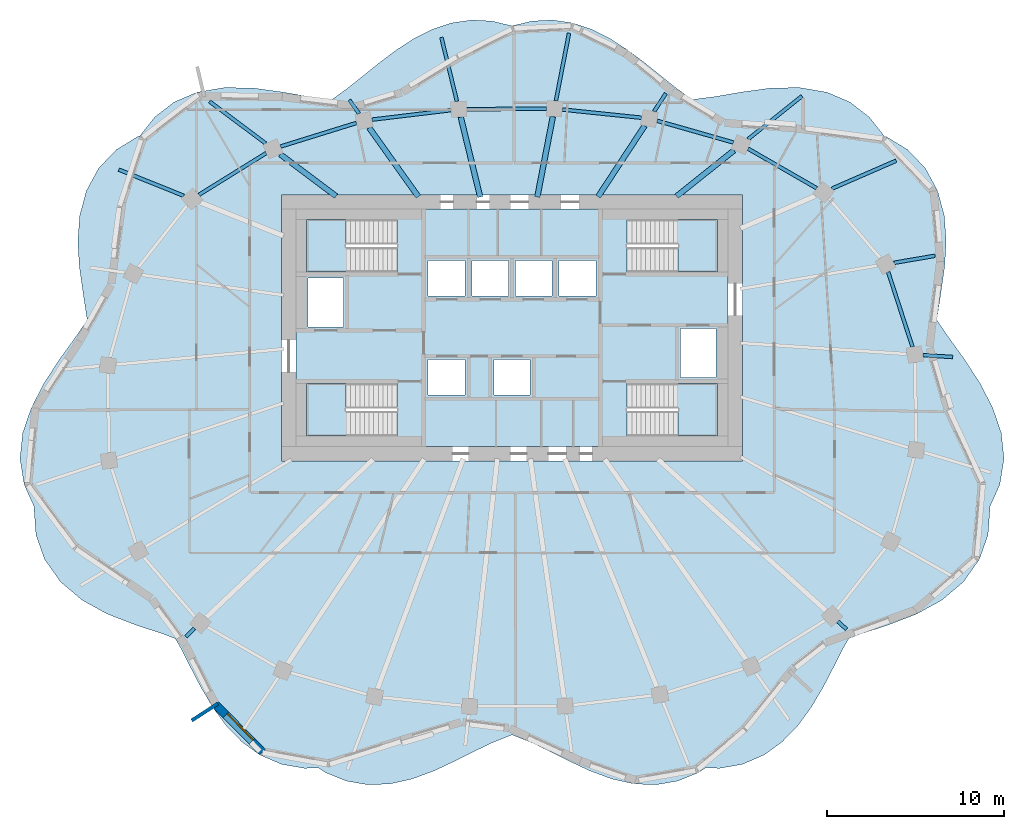
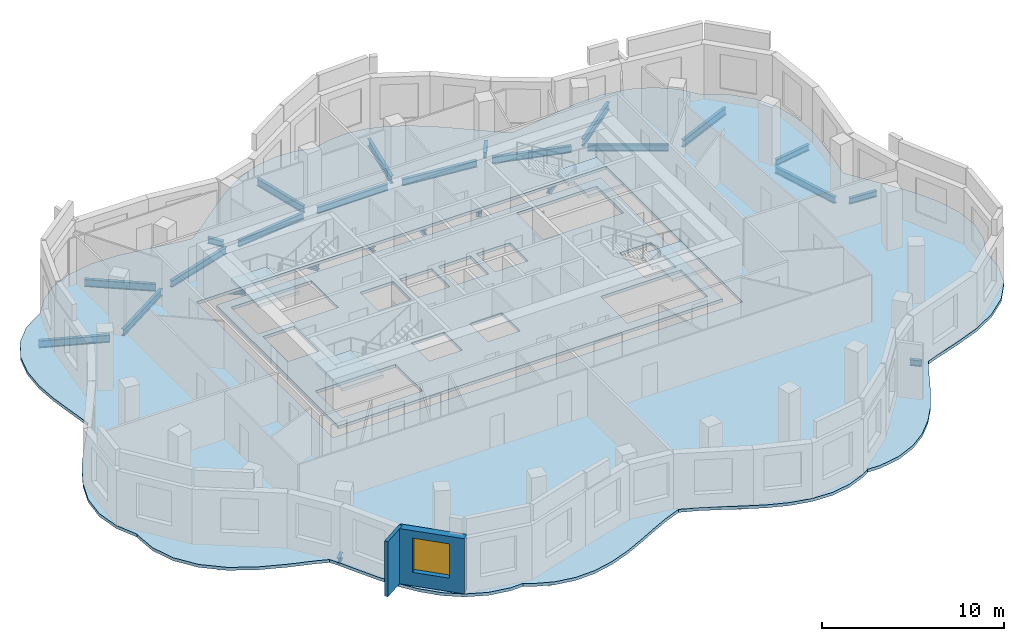
# One storey, part 2 of 9: 26 beams, 6 slabs, 2 walls, 1 window, 1 opening, 4 elements without a shape of their own.
"""IFC4 building model written with IfcOpenShell, lengths in metres."""

from ifc_helpers import new_model, si_unit, direction, frame, frame_2d, origin, origin_2d, place, context, subcontext, project, spatial, polyline, rectangle, i_section, outline, extrude, material, layer, layer_set, material_profile, profile_set, type_object, element, fill, aggregate, save


model = new_model("IFC4")

# Units and contexts
model_context = context("Model", 3, precision=1e-05, world=origin(), true_north=direction((0.0, 1.0)))
body_context = subcontext(model_context, "Body", "Model", "MODEL_VIEW")
ifc_project = project(units=[si_unit("LENGTHUNIT", "METRE"), si_unit("AREAUNIT", "SQUARE_METRE"), si_unit("VOLUMEUNIT", "CUBIC_METRE"), si_unit("PLANEANGLEUNIT", "RADIAN"), si_unit("MASSUNIT", "GRAM", prefix="KILO")], contexts=[model_context])

# Site, building, storey
site_placement = place(None, origin())
site = spatial("IfcSite", under=ifc_project, at=site_placement, CompositionType="ELEMENT")
building_placement = place(site_placement, origin())
building = spatial("IfcBuilding", under=site, at=building_placement, Name="Rubra Terraces Tower", CompositionType="ELEMENT")
storey_placement = place(building_placement, frame((0.0, 0.0, 300.0)))
storey = spatial("IfcBuildingStorey", under=building, at=storey_placement, Name="L74", CompositionType="ELEMENT", Elevation=300.0)

# Beams
ifc_material_1 = material(Name="Steel Q355B", Category="steel")
ifc_material_profile_1 = material_profile(ifc_material_1, i_section(OverallWidth=0.199951171875, OverallDepth=0.39990234375, WebThickness=0.008056640625, FlangeThickness=0.012939453125, at=origin_2d()), Name="HN 400x200x8x13")
ifc_profile_set_1 = profile_set([ifc_material_profile_1], Name="Steel Q355B")
beam_type_1 = type_object("IfcBeamType", Name="CANTILEVER BEAM HN 400x200x8x13", PredefinedType="BEAM", material=ifc_profile_set_1)
beam_1_placement = place(storey_placement, frame((23.195068359375, 2.9619140625, -0.39990234375), z_axis=(0.997842872504, -0.065647557402, 0.0), x_axis=(0.065647557402, 0.997842872504, 0.0)))
element("IfcBeam", 1, at=beam_1_placement, inside=storey, type_object=beam_type_1, Name="beam-L74-cant-01", PredefinedType="BEAM", context=body_context, shape_type="SweptSolid", body=[
    extrude(i_section(OverallWidth=0.199951171875, OverallDepth=0.39990234375, WebThickness=0.008056640625, FlangeThickness=0.012939453125, at=origin_2d()), origin(), (0.0, 0.0, 1.0), 1.673583984375),
])
beam_2_placement = place(storey_placement, frame((21.552001953125, 8.169921875, -0.39990234375), z_axis=(0.985773482055, 0.168079273192, 0.0), x_axis=(-0.168079273192, 0.985773482055, 0.0)))
element("IfcBeam", 2, at=beam_2_placement, inside=storey, type_object=beam_type_1, Name="beam-L74-cant-02", PredefinedType="BEAM", context=body_context, shape_type="SweptSolid", body=[
    extrude(i_section(OverallWidth=0.199951171875, OverallDepth=0.39990234375, WebThickness=0.008056640625, FlangeThickness=0.012939453125, at=origin_2d()), origin(), (0.0, 0.0, 1.0), 2.344482421875),
])
ifc_material_profile_2 = material_profile(ifc_material_1, i_section(OverallWidth=0.198974609375, OverallDepth=0.49609375, WebThickness=0.009033203125, FlangeThickness=0.013916015625, at=origin_2d()), Name="HN 496x199x9x14")
ifc_profile_set_2 = profile_set([ifc_material_profile_2], Name="Steel Q355B")
beam_type_2 = type_object("IfcBeamType", Name="CANTILEVER BEAM HN 496x199x9x14", PredefinedType="BEAM", material=ifc_profile_set_2)
beam_3_placement = place(storey_placement, frame((18.047119140625, 12.35205078125, -0.447998046875), z_axis=(0.916957011568, 0.398986013459, 0.0), x_axis=(-0.398986013459, 0.916957011568, 0.0)))
element("IfcBeam", 3, at=beam_3_placement, inside=storey, type_object=beam_type_2, Name="beam-L74-cant-03", PredefinedType="BEAM", context=body_context, shape_type="SweptSolid", body=[
    extrude(i_section(OverallWidth=0.198974609375, OverallDepth=0.49609375, WebThickness=0.009033203125, FlangeThickness=0.013916015625, at=origin_2d()), origin(), (0.0, 0.0, 1.0), 3.949951171875),
])
beam_4_placement = place(storey_placement, frame((13.326904296875, 15.152099609375, -0.447998046875), z_axis=(0.781187592324, 0.624296360393, 0.0), x_axis=(-0.624296360393, 0.781187592324, 0.0)))
element("IfcBeam", 4, at=beam_4_placement, inside=storey, type_object=beam_type_2, Name="beam-L74-cant-04", PredefinedType="BEAM", context=body_context, shape_type="SweptSolid", body=[
    extrude(i_section(OverallWidth=0.198974609375, OverallDepth=0.49609375, WebThickness=0.009033203125, FlangeThickness=0.013916015625, at=origin_2d()), origin(), (0.0, 0.0, 1.0), 3.884033203125),
])
beam_5_placement = place(storey_placement, frame((2.47802734375, 17.30810546875, -0.447998046875), z_axis=(0.190086340731, 0.981767377268, 0.0), x_axis=(-0.981767377268, 0.190086340731, 0.0)))
element("IfcBeam", 5, at=beam_5_placement, inside=storey, type_object=beam_type_2, Name="beam-L74-cant-06", PredefinedType="BEAM", context=body_context, shape_type="SweptSolid", body=[
    extrude(i_section(OverallWidth=0.198974609375, OverallDepth=0.49609375, WebThickness=0.009033203125, FlangeThickness=0.013916015625, at=origin_2d()), origin(), (0.0, 0.0, 1.0), 3.8876953125),
])
beam_6_placement = place(storey_placement, frame((-3.10693359375, 17.280029296875, -0.447998046875), z_axis=(-0.236180248779, 0.971709262118, 0.0), x_axis=(-0.971709262118, -0.236180248779, 0.0)))
element("IfcBeam", 6, at=beam_6_placement, inside=storey, type_object=beam_type_2, Name="beam-L74-cant-07", PredefinedType="BEAM", context=body_context, shape_type="SweptSolid", body=[
    extrude(i_section(OverallWidth=0.198974609375, OverallDepth=0.49609375, WebThickness=0.009033203125, FlangeThickness=0.013916015625, at=origin_2d()), origin(), (0.0, 0.0, 1.0), 3.708984375),
])
beam_7_placement = place(storey_placement, frame((-13.89794921875, 14.903076171875, -0.447998046875), z_axis=(-0.800563354292, 0.599248125375, 0.0), x_axis=(-0.599248125375, -0.800563354292, 0.0)))
element("IfcBeam", 7, at=beam_7_placement, inside=storey, type_object=beam_type_2, Name="beam-L74-cant-09", PredefinedType="BEAM", context=body_context, shape_type="SweptSolid", body=[
    extrude(i_section(OverallWidth=0.198974609375, OverallDepth=0.49609375, WebThickness=0.009033203125, FlangeThickness=0.013916015625, at=origin_2d()), origin(), (0.0, 0.0, 1.0), 3.949951171875),
])
beam_8_placement = place(storey_placement, frame((-18.51708984375, 11.949951171875, -0.447998046875), z_axis=(-0.927638789875, 0.373478614541, 0.0), x_axis=(-0.373478614541, -0.927638789875, 0.0)))
element("IfcBeam", 8, at=beam_8_placement, inside=storey, type_object=beam_type_2, Name="beam-L74-cant-10", PredefinedType="BEAM", context=body_context, shape_type="SweptSolid", body=[
    extrude(i_section(OverallWidth=0.198974609375, OverallDepth=0.49609375, WebThickness=0.009033203125, FlangeThickness=0.013916015625, at=origin_2d()), origin(), (0.0, 0.0, 1.0), 3.94970703125),
])
ifc_material_profile_3 = material_profile(ifc_material_1, i_section(OverallWidth=0.199951171875, OverallDepth=0.39990234375, WebThickness=0.008056640625, FlangeThickness=0.012939453125, at=origin_2d()), Name="HN 400x200x8x13")
ifc_profile_set_3 = profile_set([ifc_material_profile_3], Name="Steel Q355B")
beam_type_3 = type_object("IfcBeamType", Name="CANTILEVER STUB HN 400x200x8x13", PredefinedType="BEAM", material=ifc_profile_set_3)
beam_9_placement = place(storey_placement, frame((8.01806640625, 16.714111328125, -0.39990234375), z_axis=(0.548828065049, 0.835935257669, 0.0), x_axis=(-0.835935257669, 0.548828065049, 0.0)))
element("IfcBeam", 9, at=beam_9_placement, inside=storey, type_object=beam_type_3, Name="beam-L74-cant-05", PredefinedType="BEAM", context=body_context, shape_type="SweptSolid", body=[
    extrude(i_section(OverallWidth=0.199951171875, OverallDepth=0.39990234375, WebThickness=0.008056640625, FlangeThickness=0.012939453125, at=origin_2d()), origin(), (0.0, 0.0, 1.0), 1.211669921875),
])
beam_10_placement = place(storey_placement, frame((-8.632080078125, 16.591064453125, -0.39990234375), z_axis=(-0.581016157323, 0.813892022893, 0.0), x_axis=(-0.813892022893, -0.581016157323, 0.0)))
element("IfcBeam", 10, at=beam_10_placement, inside=storey, type_object=beam_type_3, Name="beam-L74-cant-08", PredefinedType="BEAM", context=body_context, shape_type="SweptSolid", body=[
    extrude(i_section(OverallWidth=0.199951171875, OverallDepth=0.39990234375, WebThickness=0.008056640625, FlangeThickness=0.012939453125, at=origin_2d()), origin(), (0.0, 0.0, 1.0), 0.936279296875),
])
beam_11_placement = place(storey_placement, frame((-17.9130859375, -12.462890625, -0.39990234375), z_axis=(-0.726418560873, -0.687252555048, 0.0), x_axis=(0.687252555048, -0.726418560873, 0.0)))
element("IfcBeam", 11, at=beam_11_placement, inside=storey, type_object=beam_type_3, Name="beam-L74-cant-15", PredefinedType="BEAM", context=body_context, shape_type="SweptSolid", body=[
    extrude(i_section(OverallWidth=0.199951171875, OverallDepth=0.39990234375, WebThickness=0.008056640625, FlangeThickness=0.012939453125, at=origin_2d()), origin(), (0.0, 0.0, 1.0), 0.66064453125),
])
beam_12_placement = place(storey_placement, frame((18.386962890625, -12.06591796875, -0.39990234375), z_axis=(0.742429016895, -0.669924738215, 0.0), x_axis=(0.669924738215, 0.742429016895, 0.0)))
element("IfcBeam", 12, at=beam_12_placement, inside=storey, type_object=beam_type_3, Name="beam-L74-cant-22", PredefinedType="BEAM", context=body_context, shape_type="SweptSolid", body=[
    extrude(i_section(OverallWidth=0.199951171875, OverallDepth=0.39990234375, WebThickness=0.008056640625, FlangeThickness=0.012939453125, at=origin_2d()), origin(), (0.0, 0.0, 1.0), 0.659912109375),
])
ifc_material_profile_4 = material_profile(ifc_material_1, i_section(OverallWidth=0.304931640625, OverallDepth=0.300048828125, WebThickness=0.014892578125, FlangeThickness=0.014892578125, at=origin_2d()), Name="HW 300x305x15x15")
ifc_profile_set_4 = profile_set([ifc_material_profile_4], Name="Steel Q355B")
beam_type_4 = type_object("IfcBeamType", Name="FLOOR BEAM HW 300x305x15x15", PredefinedType="BEAM", material=ifc_profile_set_4)
beam_13_placement = place(storey_placement, frame((12.527099609375, 14.511962890625, -0.35009765625), z_axis=(-0.781190597938, -0.624292599423, 0.0), x_axis=(0.624292599423, -0.781190597938, 0.0)))
element("IfcBeam", 13, at=beam_13_placement, inside=storey, type_object=beam_type_4, Name="beam-L74-floor-04", PredefinedType="BEAM", context=body_context, shape_type="SweptSolid", body=[
    extrude(i_section(OverallWidth=0.304931640625, OverallDepth=0.300048828125, WebThickness=0.014892578125, FlangeThickness=0.014892578125, at=origin_2d()), origin(), (0.0, 0.0, 1.0), 4.143798828125),
])
beam_14_placement = place(storey_placement, frame((7.48388671875, 15.89990234375, -0.35009765625), z_axis=(-0.548799087814, -0.835954281773, 0.0), x_axis=(0.835954281773, -0.548799087814, 0.0)))
element("IfcBeam", 14, at=beam_14_placement, inside=storey, type_object=beam_type_4, Name="beam-L74-floor-05", PredefinedType="BEAM", context=body_context, shape_type="SweptSolid", body=[
    extrude(i_section(OverallWidth=0.304931640625, OverallDepth=0.300048828125, WebThickness=0.014892578125, FlangeThickness=0.014892578125, at=origin_2d()), origin(), (0.0, 0.0, 1.0), 4.784912109375),
])
beam_15_placement = place(storey_placement, frame((2.305908203125, 16.416015625, -0.35009765625), z_axis=(-0.190104093884, -0.981763939798, 0.0), x_axis=(0.981763939798, -0.190104093884, 0.0)))
element("IfcBeam", 15, at=beam_15_placement, inside=storey, type_object=beam_type_4, Name="beam-L74-floor-06", PredefinedType="BEAM", context=body_context, shape_type="SweptSolid", body=[
    extrude(i_section(OverallWidth=0.304931640625, OverallDepth=0.300048828125, WebThickness=0.014892578125, FlangeThickness=0.014892578125, at=origin_2d()), origin(), (0.0, 0.0, 1.0), 4.6181640625),
])
beam_16_placement = place(storey_placement, frame((-2.89111328125, 16.39208984375, -0.35009765625), z_axis=(0.236229407797, -0.971697312383, 0.0), x_axis=(0.971697312383, 0.236229407797, 0.0)))
element("IfcBeam", 16, at=beam_16_placement, inside=storey, type_object=beam_type_4, Name="beam-L74-floor-07", PredefinedType="BEAM", context=body_context, shape_type="SweptSolid", body=[
    extrude(i_section(OverallWidth=0.304931640625, OverallDepth=0.300048828125, WebThickness=0.014892578125, FlangeThickness=0.014892578125, at=origin_2d()), origin(), (0.0, 0.0, 1.0), 4.640380859375),
])
beam_17_placement = place(storey_placement, frame((-8.06201171875, 15.79296875, -0.35009765625), z_axis=(0.580948286594, -0.813940469754, 0.0), x_axis=(0.813940469754, 0.580948286594, 0.0)))
element("IfcBeam", 17, at=beam_17_placement, inside=storey, type_object=beam_type_4, Name="beam-L74-floor-08", PredefinedType="BEAM", context=body_context, shape_type="SweptSolid", body=[
    extrude(i_section(OverallWidth=0.304931640625, OverallDepth=0.300048828125, WebThickness=0.014892578125, FlangeThickness=0.014892578125, at=origin_2d()), origin(), (0.0, 0.0, 1.0), 4.7802734375),
])
beam_18_placement = place(storey_placement, frame((-13.075927734375, 14.2890625, -0.35009765625), z_axis=(0.800431185592, -0.599424655092, 0.0), x_axis=(0.599424655092, 0.800431185592, 0.0)))
element("IfcBeam", 18, at=beam_18_placement, inside=storey, type_object=beam_type_4, Name="beam-L74-floor-09", PredefinedType="BEAM", context=body_context, shape_type="SweptSolid", body=[
    extrude(i_section(OverallWidth=0.304931640625, OverallDepth=0.300048828125, WebThickness=0.014892578125, FlangeThickness=0.014892578125, at=origin_2d()), origin(), (0.0, 0.0, 1.0), 3.93896484375),
])
ifc_material_profile_5 = material_profile(ifc_material_1, i_section(OverallWidth=0.198974609375, OverallDepth=0.446044921875, WebThickness=0.008056640625, FlangeThickness=0.011962890625, at=origin_2d()), Name="HN 446x199x8x12")
ifc_profile_set_5 = profile_set([ifc_material_profile_5], Name="Steel Q355B")
beam_type_5 = type_object("IfcBeamType", Name="SPANDREL BEAM HN 446x199x8x12", PredefinedType="SPANDREL", material=ifc_profile_set_5)
beam_19_placement = place(storey_placement, frame((22.593994140625, 3.426025390625, -0.423095703125), z_axis=(-0.308536942246, 0.951212360764, 0.0), x_axis=(-0.951212360764, -0.308536942246, 0.0)))
element("IfcBeam", 19, at=beam_19_placement, inside=storey, type_object=beam_type_5, Name="beam-L74-spandrel-01", PredefinedType="SPANDREL", context=body_context, shape_type="SweptSolid", body=[
    extrude(i_section(OverallWidth=0.198974609375, OverallDepth=0.446044921875, WebThickness=0.008056640625, FlangeThickness=0.011962890625, at=origin_2d()), origin(), (0.0, 0.0, 1.0), 4.44384765625),
])
beam_20_placement = place(storey_placement, frame((17.18798828125, 12.37890625, -0.423095703125), z_axis=(-0.866616005945, 0.498975648945, 0.0), x_axis=(-0.498975648945, -0.866616005945, 0.0)))
element("IfcBeam", 20, at=beam_20_placement, inside=storey, type_object=beam_type_5, Name="beam-L74-spandrel-03", PredefinedType="SPANDREL", context=body_context, shape_type="SweptSolid", body=[
    extrude(i_section(OverallWidth=0.198974609375, OverallDepth=0.446044921875, WebThickness=0.008056640625, FlangeThickness=0.011962890625, at=origin_2d()), origin(), (0.0, 0.0, 1.0), 4.463134765625),
])
beam_21_placement = place(storey_placement, frame((12.490966796875, 14.9560546875, -0.423095703125), z_axis=(-0.961713024643, 0.27405849418, 0.0), x_axis=(-0.27405849418, -0.961713024643, 0.0)))
element("IfcBeam", 21, at=beam_21_placement, inside=storey, type_object=beam_type_5, Name="beam-L74-spandrel-04", PredefinedType="SPANDREL", context=body_context, shape_type="SweptSolid", body=[
    extrude(i_section(OverallWidth=0.198974609375, OverallDepth=0.446044921875, WebThickness=0.008056640625, FlangeThickness=0.011962890625, at=origin_2d()), origin(), (0.0, 0.0, 1.0), 4.477294921875),
])
beam_22_placement = place(storey_placement, frame((7.302001953125, 16.35400390625, -0.423095703125), z_axis=(-0.994684107425, 0.102973425873, 0.0), x_axis=(-0.102973425873, -0.994684107425, 0.0)))
element("IfcBeam", 22, at=beam_22_placement, inside=storey, type_object=beam_type_5, Name="beam-L74-spandrel-05", PredefinedType="SPANDREL", context=body_context, shape_type="SweptSolid", body=[
    extrude(i_section(OverallWidth=0.198974609375, OverallDepth=0.446044921875, WebThickness=0.008056640625, FlangeThickness=0.011962890625, at=origin_2d()), origin(), (0.0, 0.0, 1.0), 4.48583984375),
])
beam_23_placement = place(storey_placement, frame((1.94091796875, 16.860107421875, -0.423095703125), z_axis=(-0.999987753188, -0.004949088244, 0.0), x_axis=(0.004949088244, -0.999987753188, 0.0)))
element("IfcBeam", 23, at=beam_23_placement, inside=storey, type_object=beam_type_5, Name="beam-L74-spandrel-06", PredefinedType="SPANDREL", context=body_context, shape_type="SweptSolid", body=[
    extrude(i_section(OverallWidth=0.198974609375, OverallDepth=0.446044921875, WebThickness=0.008056640625, FlangeThickness=0.011962890625, at=origin_2d()), origin(), (0.0, 0.0, 1.0), 4.489013671875),
])
beam_24_placement = place(storey_placement, frame((-3.447021484375, 16.781982421875, -0.423095703125), z_axis=(-0.992829862118, -0.119536040116, 0.0), x_axis=(0.119536040116, -0.992829862118, 0.0)))
element("IfcBeam", 24, at=beam_24_placement, inside=storey, type_object=beam_type_5, Name="beam-L74-spandrel-07", PredefinedType="SPANDREL", context=body_context, shape_type="SweptSolid", body=[
    extrude(i_section(OverallWidth=0.198974609375, OverallDepth=0.446044921875, WebThickness=0.008056640625, FlangeThickness=0.011962890625, at=origin_2d()), origin(), (0.0, 0.0, 1.0), 4.483154296875),
])
beam_25_placement = place(storey_placement, frame((-8.779052734375, 16.05810546875, -0.423095703125), z_axis=(-0.955035382264, -0.296491852541, 0.0), x_axis=(0.296491852541, -0.955035382264, 0.0)))
element("IfcBeam", 25, at=beam_25_placement, inside=storey, type_object=beam_type_5, Name="beam-L74-spandrel-08", PredefinedType="SPANDREL", context=body_context, shape_type="SweptSolid", body=[
    extrude(i_section(OverallWidth=0.198974609375, OverallDepth=0.446044921875, WebThickness=0.008056640625, FlangeThickness=0.011962890625, at=origin_2d()), origin(), (0.0, 0.0, 1.0), 4.47607421875),
])
beam_26_placement = place(storey_placement, frame((-13.8720703125, 14.35693359375, -0.423095703125), z_axis=(-0.849641857012, -0.527360137679, 0.0), x_axis=(0.527360137679, -0.849641857012, 0.0)))
element("IfcBeam", 26, at=beam_26_placement, inside=storey, type_object=beam_type_5, Name="beam-L74-spandrel-09", PredefinedType="SPANDREL", context=body_context, shape_type="SweptSolid", body=[
    extrude(i_section(OverallWidth=0.198974609375, OverallDepth=0.446044921875, WebThickness=0.008056640625, FlangeThickness=0.011962890625, at=origin_2d()), origin(), (0.0, 0.0, 1.0), 4.4619140625),
])

# Slab
ifc_material_2 = material(Name="Concrete C40", Category="concrete")
ifc_layer_1 = layer(ifc_material_2, 0.199951171875)
ifc_layer_set_1 = layer_set([ifc_layer_1], Name="Concrete C40")
slab_type_1 = type_object("IfcSlabType", Name="Core floor slab 200 concrete", PredefinedType="FLOOR", material=ifc_layer_set_1)
slab_1_placement = place(storey_placement, frame((0.0, 0.0, -0.199951171875)))
element("IfcSlab", 27, at=slab_1_placement, inside=storey, type_object=slab_type_1, Name="CORE FLOOR SLAB L74", PredefinedType="FLOOR", context=body_context, shape_type="SweptSolid", body=[
    extrude(outline(polyline([(-12.199951171875, -2.199951171875), (-12.199951171875, 11.199951171875), (12.199951171875, 11.199951171875), (12.199951171875, -2.199951171875), (-12.199951171875, -2.199951171875)]), holes=[polyline([(11.597900390625, 1.347900390625), (6.501953125, 1.347900390625), (6.501953125, -1.597900390625), (11.597900390625, -1.597900390625), (11.597900390625, 1.347900390625)]), polyline([(11.597900390625, 7.652099609375), (11.597900390625, 10.597900390625), (6.501953125, 10.597900390625), (6.501953125, 7.652099609375), (11.597900390625, 7.652099609375)]), polyline([(9.5, 1.699951171875), (11.5, 1.699951171875), (11.5, 4.449951171875), (9.5, 4.449951171875), (9.5, 1.699951171875)]), polyline([(4.75, 6.300048828125), (4.75, 8.300048828125), (2.64990234375, 8.300048828125), (2.64990234375, 6.300048828125), (4.75, 6.300048828125)]), polyline([(2.25, 8.300048828125), (0.199951171875, 8.300048828125), (0.199951171875, 6.300048828125), (2.25, 6.300048828125), (2.25, 8.300048828125)]), polyline([(1.02490234375, 0.699951171875), (1.02490234375, 2.699951171875), (-1.02490234375, 2.699951171875), (-1.02490234375, 0.699951171875), (1.02490234375, 0.699951171875)]), polyline([(-0.199951171875, 6.300048828125), (-0.199951171875, 8.300048828125), (-2.25, 8.300048828125), (-2.25, 6.300048828125), (-0.199951171875, 6.300048828125)]), polyline([(-4.75, 8.300048828125), (-4.75, 6.300048828125), (-2.64990234375, 6.300048828125), (-2.64990234375, 8.300048828125), (-4.75, 8.300048828125)]), polyline([(-2.64990234375, 0.699951171875), (-2.64990234375, 2.699951171875), (-4.75, 2.699951171875), (-4.75, 0.699951171875), (-2.64990234375, 0.699951171875)]), polyline([(-11.597900390625, -1.597900390625), (-6.501953125, -1.597900390625), (-6.501953125, 1.347900390625), (-11.597900390625, 1.347900390625), (-11.597900390625, -1.597900390625)]), polyline([(-11.597900390625, 10.597900390625), (-11.597900390625, 7.652099609375), (-6.501953125, 7.652099609375), (-6.501953125, 10.597900390625), (-11.597900390625, 10.597900390625)]), polyline([(-9.5, 4.550048828125), (-9.5, 7.300048828125), (-11.5, 7.300048828125), (-11.5, 4.550048828125), (-9.5, 4.550048828125)])]), origin(), (0.0, 0.0, 1.0), 0.199951171875),
])

# Stair, slab
stair_type = type_object("IfcStairType", Name="Core stair 1400", PredefinedType="HALF_TURN_STAIR", material=ifc_material_2)
stair_1_placement = place(storey_placement, origin())
stair_1 = element("IfcStair", 28, at=stair_1_placement, inside=storey, type_object=stair_type, Name="L74 Exit stair S1", PredefinedType="HALF_TURN_STAIR")
ifc_layer_2 = layer(ifc_material_2, 0.199951171875)
ifc_layer_set_2 = layer_set([ifc_layer_2], Name="Concrete C40")
slab_type_2 = type_object("IfcSlabType", Name="Core stair landing 200", PredefinedType="LANDING", material=ifc_layer_set_2)
slab_2_placement = place(storey_placement, frame((0.0, 0.0, 1.75)))
slab_2 = element("IfcSlab", 29, at=slab_2_placement, type_object=slab_type_2, Name="S1 landing 1", PredefinedType="LANDING", context=body_context, shape_type="SweptSolid", body=[
    extrude(outline(polyline([(-8.97998046875, -0.199951171875), (-8.97998046875, -1.60009765625), (-9.360107421875, -1.60009765625), (-9.3798828125, -1.60009765625), (-11.60009765625, -1.60009765625), (-11.60009765625, 1.35009765625), (-9.3798828125, 1.35009765625), (-9.35791015625, 1.35009765625), (-9.35791015625, -0.050048828125), (-9.360107421875, -0.050048828125), (-9.360107421875, -0.199951171875), (-8.97998046875, -0.199951171875)])), origin(), (0.0, 0.0, 1.0), 0.199951171875),
])
aggregate(stair_1, [slab_2])

stair_2_placement = place(storey_placement, origin())
stair_2 = element("IfcStair", 30, at=stair_2_placement, inside=storey, type_object=stair_type, Name="L74 Exit stair S2", PredefinedType="HALF_TURN_STAIR")
slab_3_placement = place(storey_placement, frame((0.0, 0.0, 1.75)))
slab_3 = element("IfcSlab", 31, at=slab_3_placement, type_object=slab_type_2, Name="S2 landing 1", PredefinedType="LANDING", context=body_context, shape_type="SweptSolid", body=[
    extrude(outline(polyline([(-8.97998046875, 9.050048828125), (-8.97998046875, 7.64990234375), (-9.3798828125, 7.64990234375), (-11.60009765625, 7.64990234375), (-11.60009765625, 10.60009765625), (-9.3798828125, 10.60009765625), (-9.360107421875, 10.60009765625), (-9.35791015625, 10.60009765625), (-9.35791015625, 9.199951171875), (-9.360107421875, 9.199951171875), (-9.360107421875, 9.050048828125), (-8.97998046875, 9.050048828125)])), origin(), (0.0, 0.0, 1.0), 0.199951171875),
])
aggregate(stair_2, [slab_3])

stair_3_placement = place(storey_placement, origin())
stair_3 = element("IfcStair", 32, at=stair_3_placement, inside=storey, type_object=stair_type, Name="L74 Exit stair S3", PredefinedType="HALF_TURN_STAIR")
slab_4_placement = place(storey_placement, frame((0.0, 0.0, 1.75)))
slab_4 = element("IfcSlab", 33, at=slab_4_placement, type_object=slab_type_2, Name="S3 landing 1", PredefinedType="LANDING", context=body_context, shape_type="SweptSolid", body=[
    extrude(outline(polyline([(9.360107421875, 9.050048828125), (9.360107421875, 9.199951171875), (8.97998046875, 9.199951171875), (8.97998046875, 10.60009765625), (9.360107421875, 10.60009765625), (9.3798828125, 10.60009765625), (11.60009765625, 10.60009765625), (11.60009765625, 7.64990234375), (9.3798828125, 7.64990234375), (9.35791015625, 7.64990234375), (9.35791015625, 9.050048828125), (9.360107421875, 9.050048828125)])), origin(), (0.0, 0.0, 1.0), 0.199951171875),
])
aggregate(stair_3, [slab_4])

stair_4_placement = place(storey_placement, origin())
stair_4 = element("IfcStair", 34, at=stair_4_placement, inside=storey, type_object=stair_type, Name="L74 Exit stair S4", PredefinedType="HALF_TURN_STAIR")
slab_5_placement = place(storey_placement, frame((0.0, 0.0, 1.75)))
slab_5 = element("IfcSlab", 35, at=slab_5_placement, type_object=slab_type_2, Name="S4 landing 1", PredefinedType="LANDING", context=body_context, shape_type="SweptSolid", body=[
    extrude(outline(polyline([(9.360107421875, -0.199951171875), (9.360107421875, -0.050048828125), (8.97998046875, -0.050048828125), (8.97998046875, 1.35009765625), (9.360107421875, 1.35009765625), (9.3798828125, 1.35009765625), (11.60009765625, 1.35009765625), (11.60009765625, -1.60009765625), (9.3798828125, -1.60009765625), (9.360107421875, -1.60009765625), (9.35791015625, -1.60009765625), (9.35791015625, -0.199951171875), (9.360107421875, -0.199951171875)])), origin(), (0.0, 0.0, 1.0), 0.199951171875),
])
aggregate(stair_4, [slab_5])

# Slab
ifc_layer_3 = layer(ifc_material_2, 0.199951171875)
ifc_layer_set_3 = layer_set([ifc_layer_3], Name="Concrete C40")
slab_type_3 = type_object("IfcSlabType", Name="FLOOR SLAB 200 COMPOSITE", PredefinedType="FLOOR", material=ifc_layer_set_3)
slab_6_placement = place(storey_placement, frame((0.0, 0.0, -0.199951171875)))
element("IfcSlab", 36, at=slab_6_placement, inside=storey, type_object=slab_type_3, Name="FLOOR SLAB L74", PredefinedType="FLOOR", context=body_context, shape_type="SweptSolid", body=[
    extrude(outline(polyline([(18.68603515625, -13.575927734375), (18.998046875, -13.033935546875), (19.68798828125, -12.76904296875), (21.23095703125, -12.264892578125), (22.845947265625, -11.64111328125), (24.2529296875, -10.863037109375), (25.468017578125, -9.8359375), (26.367919921875, -8.56689453125), (26.85693359375, -7.18896484375), (26.966064453125, -5.718017578125), (26.949951171875, -5.618896484375), (27.52001953125, -4.35888671875), (27.758056640625, -2.89501953125), (27.60400390625, -1.422119140625), (27.116943359375, 0.0), (26.39990234375, 1.382080078125), (25.549072265625, 2.694091796875), (24.676025390625, 3.907958984375), (23.97607421875, 4.924072265625), (23.986083984375, 5.06591796875), (24.195068359375, 6.444091796875), (24.408935546875, 7.930908203125), (24.4990234375, 9.3798828125), (24.387939453125, 10.840087890625), (24.011962890625, 12.235107421875), (23.31494140625, 13.51611328125), (22.318115234375, 14.55810546875), (21.076904296875, 15.31298828125), (20.986083984375, 15.342041015625), (20.157958984375, 16.39111328125), (19.06201171875, 17.238037109375), (17.787109375, 17.787109375), (16.205078125, 18.05908203125), (14.56103515625, 18.02392578125), (12.93310546875, 17.801025390625), (11.493896484375, 17.552001953125), (10.166015625, 17.3798828125), (10.117919921875, 17.408935546875), (9.2080078125, 18.072021484375), (8.35205078125, 18.756103515625), (7.468017578125, 19.468017578125), (6.550048828125, 20.159912109375), (5.5458984375, 20.81201171875), (4.5048828125, 21.339111328125), (3.43701171875, 21.697998046875), (2.2880859375, 21.867919921875), (1.136962890625, 21.80908203125), (0.0, 21.537109375), (-1.136962890625, 21.80908203125), (-2.2880859375, 21.867919921875), (-3.43701171875, 21.697998046875), (-4.5048828125, 21.339111328125), (-5.5458984375, 20.81201171875), (-6.550048828125, 20.159912109375), (-7.468017578125, 19.468017578125), (-8.35205078125, 18.756103515625), (-9.2080078125, 18.072021484375), (-10.117919921875, 17.408935546875), (-10.166015625, 17.3798828125), (-11.493896484375, 17.552001953125), (-12.93310546875, 17.801025390625), (-14.56103515625, 18.02392578125), (-16.205078125, 18.05908203125), (-17.787109375, 17.787109375), (-19.06201171875, 17.238037109375), (-20.157958984375, 16.39111328125), (-21.032958984375, 15.281982421875), (-20.986083984375, 15.342041015625), (-21.076904296875, 15.31298828125), (-22.318115234375, 14.55810546875), (-23.31494140625, 13.51611328125), (-24.011962890625, 12.235107421875), (-24.387939453125, 10.840087890625), (-24.4990234375, 9.3798828125), (-24.408935546875, 7.930908203125), (-24.195068359375, 6.444091796875), (-23.986083984375, 5.06591796875), (-23.97607421875, 4.924072265625), (-24.676025390625, 3.907958984375), (-25.549072265625, 2.694091796875), (-26.39990234375, 1.382080078125), (-27.116943359375, 0.0), (-27.60400390625, -1.422119140625), (-27.758056640625, -2.89501953125), (-27.52001953125, -4.35888671875), (-26.949951171875, -5.618896484375), (-26.966064453125, -5.718017578125), (-26.85693359375, -7.18896484375), (-26.367919921875, -8.56689453125), (-25.468017578125, -9.8359375), (-24.2529296875, -10.863037109375), (-22.845947265625, -11.64111328125), (-21.23095703125, -12.264892578125), (-19.68798828125, -12.76904296875), (-18.9990234375, -13.033935546875), (-18.68603515625, -13.575927734375), (-18.14306640625, -14.64404296875), (-17.55908203125, -15.77001953125), (-16.89501953125, -16.89501953125), (-16.1259765625, -17.947021484375), (-15.238037109375, -18.864990234375), (-14.23388671875, -19.591064453125), (-13.013916015625, -20.12109375), (-11.705078125, -20.35302734375), (-10.344970703125, -20.302978515625), (-10.93408203125, -20.324951171875), (-10.498046875, -20.60302734375), (-9.344970703125, -21.069091796875), (-8.137939453125, -21.279052734375), (-6.89892578125, -21.23291015625), (-5.633056640625, -20.951904296875), (-4.3798828125, -20.487060546875), (-3.154052734375, -19.912109375), (-2.0859375, -19.3740234375), (-1.0390625, -18.873046875), (0.0, -18.462890625), (1.0390625, -18.873046875), (2.0859375, -19.3740234375), (3.154052734375, -19.912109375), (4.3798828125, -20.487060546875), (5.633056640625, -20.951904296875), (6.89892578125, -21.23291015625), (8.137939453125, -21.279052734375), (9.344970703125, -21.069091796875), (10.498046875, -20.60302734375), (11.498046875, -19.965087890625), (10.93408203125, -20.324951171875), (11.705078125, -20.35302734375), (13.013916015625, -20.12109375), (14.23388671875, -19.591064453125), (15.238037109375, -18.864990234375), (16.1259765625, -17.947021484375), (16.89501953125, -16.89501953125), (17.55908203125, -15.77001953125), (18.14306640625, -14.64404296875), (18.68603515625, -13.575927734375)]), holes=[polyline([(13.0, 12.0), (13.0, -3.0), (-13.0, -3.0), (-13.0, 12.0), (13.0, 12.0)])]), origin(), (0.0, 0.0, 1.0), 0.199951171875),
])

# Wall, opening, window
ifc_material_3 = material(Name="Brick masonry red-brown", Category="masonry")
ifc_layer_4 = layer(ifc_material_3, 0.449951171875)
ifc_layer_set_4 = layer_set([ifc_layer_4], Name="Brick masonry red-brown")
wall_type_1 = type_object("IfcWallType", Name="Brick facade wall 450", PredefinedType="SOLIDWALL", material=ifc_layer_set_4)
wall_1_placement = place(storey_placement, frame((-16.73486328125, -16.73681640625, 0.0), z_axis=(0.0, 0.0, 1.0), x_axis=(0.702451084622, -0.711732023808, 0.0)))
wall_1 = element("IfcWall", 37, at=wall_1_placement, inside=storey, type_object=wall_type_1, Name="Facade wall L74 bay 26", PredefinedType="SOLIDWALL", context=body_context, shape_type="SweptSolid", body=[
    extrude(rectangle(XDim=3.7880859375, YDim=0.449951171875, at=frame_2d((1.89404296875, 0.0))), origin(), (0.0, 0.0, 1.0), 3.699951171875),
])
opening_placement = place(wall_1_placement, frame((0.843994140625, 0.0, 0.89990234375)))
opening = element("IfcOpeningElement", 38, at=opening_placement, cuts=wall_1, Name="Opening W1B", PredefinedType="OPENING", context=body_context, shape_type="SweptSolid", body=[
    extrude(rectangle(XDim=2.10009765625, YDim=2.300048828125, at=frame_2d((1.050048828125, 1.14990234375))), frame((0.0, 0.23486328125, 0.0), z_axis=(0.0, -1.0, 0.0), x_axis=(1.0, 0.0, 0.0)), (0.0, 0.0, 1.0), 0.469970703125),
])
ifc_material_4 = material(Name="Clear glass in aluminium frame", Category="aluminium")
window_type = type_object("IfcWindowType", Name="Fixed deep-set window tall storey 2100 x 2300", PartitioningType="SINGLE_PANEL", PredefinedType="WINDOW", material=ifc_material_4)
window_placement = place(opening_placement, origin())
window = element("IfcWindow", 39, at=window_placement, inside=storey, type_object=window_type, Name="Window L74 bay 26", OverallHeight=2.300048828125, OverallWidth=2.10009765625, PartitioningType="SINGLE_PANEL", PredefinedType="WINDOW", context=body_context, shape_type="SweptSolid", body=[
    extrude(rectangle(XDim=2.10009765625, YDim=2.300048828125, at=frame_2d((1.050048828125, 1.14990234375))), frame((0.0, 0.135009765625, 0.0), z_axis=(0.0, -1.0, 0.0), x_axis=(1.0, 0.0, 0.0)), (0.0, 0.0, 1.0), 0.06005859375),
])
fill(opening, window)

# Wall
ifc_layer_5 = layer(ifc_material_3, 0.199951171875)
ifc_layer_set_5 = layer_set([ifc_layer_5], Name="Brick masonry red-brown")
wall_type_2 = type_object("IfcWallType", Name="Brick wind fin 200", PredefinedType="SOLIDWALL", material=ifc_layer_set_5)
wall_2_placement = place(storey_placement, frame((-16.60205078125, -16.702880859375, 0.0), z_axis=(0.0, 0.0, 1.0), x_axis=(-0.8390232549, -0.54409555938, 0.0)))
element("IfcWall", 40, at=wall_2_placement, inside=storey, type_object=wall_type_2, Name="Wind fin L74 13", PredefinedType="SOLIDWALL", context=body_context, shape_type="SweptSolid", body=[
    extrude(rectangle(XDim=1.75, YDim=0.199951171875, at=frame_2d((0.875, 0.0))), origin(), (0.0, 0.0, 1.0), 3.699951171875),
])

save(model, "model.ifc")
